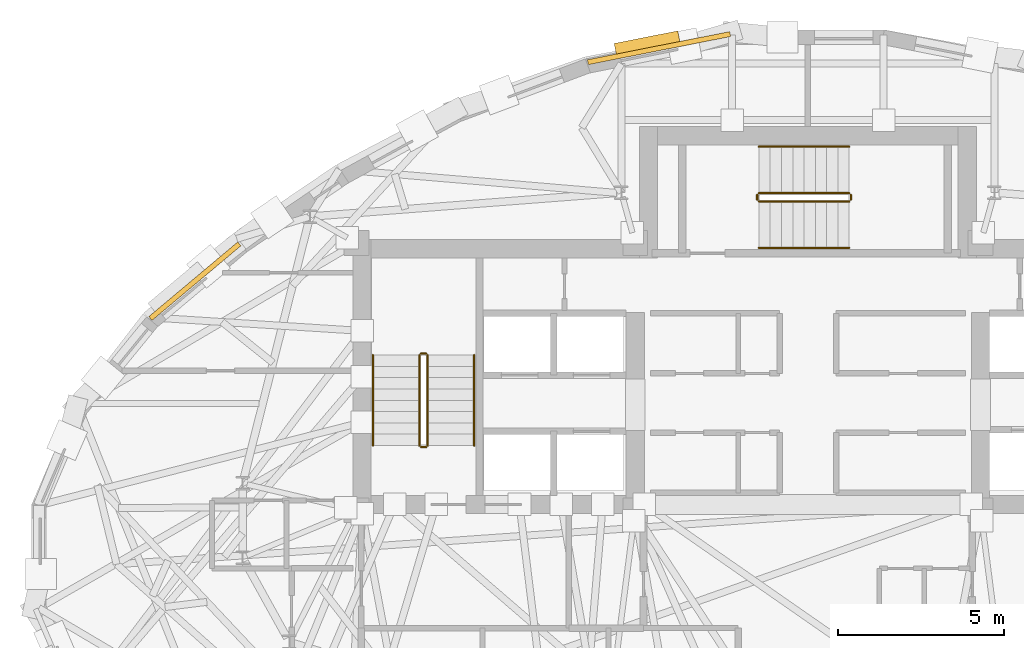
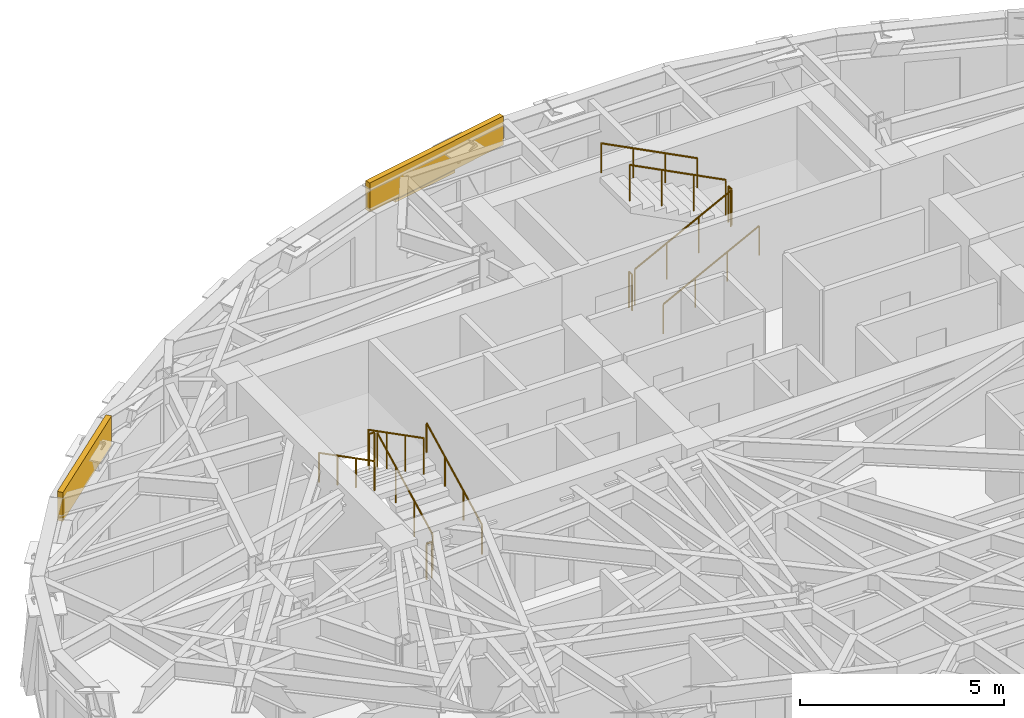
# One storey, part 13 of 14: 12 railings, 2 coverings, 1 shading device.
"""IFC4 building model written with IfcOpenShell, lengths in metres."""

from ifc_helpers import new_model, si_unit, direction, frame, origin, origin_2d, place, context, subcontext, project, spatial, rectangle, circle, extrude, material, layer, layer_set, type_object, element, save


model = new_model("IFC4")

# Units and contexts
model_context = context("Model", 3, precision=1e-05, world=origin(), true_north=direction((0.0, 1.0)))
body_context = subcontext(model_context, "Body", "Model", "MODEL_VIEW")
ifc_project = project(units=[si_unit("LENGTHUNIT", "METRE"), si_unit("AREAUNIT", "SQUARE_METRE"), si_unit("VOLUMEUNIT", "CUBIC_METRE"), si_unit("PLANEANGLEUNIT", "RADIAN"), si_unit("MASSUNIT", "GRAM", prefix="KILO")], contexts=[model_context])

# Site, building, storey
site_placement = place(None, origin())
site = spatial("IfcSite", under=ifc_project, at=site_placement, CompositionType="ELEMENT")
building_placement = place(site_placement, origin())
building = spatial("IfcBuilding", under=site, at=building_placement, Name="Keldmark Tower", CompositionType="ELEMENT")
storey_placement = place(building_placement, frame((0.0, 0.0, 216.300048828125)))
storey = spatial("IfcBuildingStorey", under=building, at=storey_placement, Name="L60", CompositionType="ELEMENT", Elevation=216.300048828125)

# Shading device
ifc_material_1 = material(Name="Kasota Buff Limestone Bullnose and Bronze Anodized Aluminum", Category="masonry")
ifc_layer_1 = layer(ifc_material_1, 0.080078125)
ifc_layer_set_1 = layer_set([ifc_layer_1], Name="Kasota Buff Limestone Bullnose and Bronze Anodized Aluminum")
shading_device_type = type_object("IfcShadingDeviceType", Name="Deep-Set Punched Window Stone-and-Metal Sunshade", PredefinedType="AWNING", material=ifc_layer_set_1)
shading_device_placement = place(storey_placement, frame((-4.836181640625, 15.440673828125, 2.10986328125), z_axis=(0.0, 0.0, 1.0), x_axis=(0.981026280067, 0.193874799339, 0.0)))
element("IfcShadingDevice", 1, at=shading_device_placement, inside=storey, type_object=shading_device_type, Name="L60 Kasota Stone Window Sunshade 09", PredefinedType="AWNING", context=body_context, shape_type="SweptSolid", body=[
    extrude(rectangle(XDim=1.949951171875, YDim=0.419921875, at=origin_2d()), origin(), (0.0, 0.0, 1.0), 0.080078125),
])

# Coverings
ifc_material_2 = material(Name="Honed Kasota Buff Dolomitic Limestone", Category="masonry")
ifc_layer_2 = layer(ifc_material_2, 0.074951171875)
ifc_layer_set_2 = layer_set([ifc_layer_2], Name="Honed Kasota Buff Dolomitic Limestone")
covering_type = type_object("IfcCoveringType", Name="Kasota Buff Limestone Spandrel Cladding Band", PredefinedType="CLADDING", material=ifc_layer_set_2)
covering_1_placement = place(storey_placement, frame((-4.482421875, 15.31689453125, 2.260009765625), z_axis=(0.0, 0.0, 1.0), x_axis=(-0.981026280067, -0.193874799339, 0.0)))
element("IfcCovering", 2, at=covering_1_placement, inside=storey, type_object=covering_type, Name="L60 Kasota Limestone Spandrel Band 09", PredefinedType="CLADDING", context=body_context, shape_type="SweptSolid", body=[
    extrude(rectangle(XDim=4.366455078125, YDim=0.14990234375, at=origin_2d()), origin(), (0.0, 0.0, 1.0), 0.8701171875),
])
covering_2_placement = place(storey_placement, frame((-18.461669921875, 8.298095703125, 2.260009765625), z_axis=(0.0, 0.0, 1.0), x_axis=(-0.766066880173, -0.642760869299, 0.0)))
element("IfcCovering", 3, at=covering_2_placement, inside=storey, type_object=covering_type, Name="L60 Kasota Limestone Spandrel Band 13", PredefinedType="CLADDING", context=body_context, shape_type="SweptSolid", body=[
    extrude(rectangle(XDim=3.49560546875, YDim=0.14990234375, at=origin_2d()), origin(), (0.0, 0.0, 1.0), 0.8701171875),
])

# Railings
ifc_material_3 = material(Name="Painted Steel ASTM A500 Grade B", Category="steel")
railing_type_1 = type_object("IfcRailingType", Name="Painted Steel Stair Well Guard 1100 mm", PredefinedType="GUARDRAIL", material=ifc_material_3)
railing_1_placement = place(storey_placement, frame((-11.449951171875, 3.35009765625, 0.175048828125)))
element("IfcRailing", 4, at=railing_1_placement, inside=storey, type_object=railing_type_1, Name="L60 ST1 stair guard 1", PredefinedType="GUARDRAIL", context=body_context, shape_type="SweptSolid", body=[
    extrude(circle(Radius=0.02392578125, at=origin_2d()), frame((0.0, 0.0, 1.076171875), z_axis=(0.0, 0.889146794209, 0.457622091194), x_axis=(-1.0, 0.0, 0.0)), (0.0, 0.0, 1.0), 3.05908203125),
    extrude(circle(Radius=0.02099609375, at=origin_2d()), origin(), (0.0, 0.0, 1.0), 1.052001953125),
    extrude(circle(Radius=0.02099609375, at=origin_2d()), frame((0.0, 0.90673828125, 0.466552734375)), (0.0, 0.0, 1.0), 1.052001953125),
    extrude(circle(Radius=0.02099609375, at=origin_2d()), frame((0.0, 1.813232421875, 0.933349609375)), (0.0, 0.0, 1.0), 1.052001953125),
    extrude(circle(Radius=0.02099609375, at=origin_2d()), frame((0.0, 2.719970703125, 1.39990234375)), (0.0, 0.0, 1.0), 1.052001953125),
])
railing_2_placement = place(storey_placement, frame((-11.5, 6.1201171875, 1.574951171875)))
element("IfcRailing", 5, at=railing_2_placement, inside=storey, type_object=railing_type_1, Name="L60 ST1 stair guard 2", PredefinedType="GUARDRAIL", context=body_context, shape_type="SweptSolid", body=[
    extrude(circle(Radius=0.02392578125, at=origin_2d()), frame((0.0, 0.0, 1.076171875), z_axis=(-1.0, 0.0, 0.0), x_axis=(0.0, -1.0, 0.0)), (0.0, 0.0, 1.0), 0.14990234375),
    extrude(circle(Radius=0.02099609375, at=origin_2d()), origin(), (0.0, 0.0, 1.0), 1.052001953125),
    extrude(circle(Radius=0.02099609375, at=origin_2d()), frame((-0.14990234375, 0.0, 0.0)), (0.0, 0.0, 1.0), 1.052001953125),
])
railing_3_placement = place(storey_placement, frame((-11.699951171875, 6.070068359375, 1.75)))
element("IfcRailing", 6, at=railing_3_placement, inside=storey, type_object=railing_type_1, Name="L60 ST1 stair guard 3", PredefinedType="GUARDRAIL", context=body_context, shape_type="SweptSolid", body=[
    extrude(circle(Radius=0.02392578125, at=origin_2d()), frame((0.0, 0.0, 1.076171875), z_axis=(0.0, -0.889146794209, 0.457622091194), x_axis=(1.0, 0.0, 0.0)), (0.0, 0.0, 1.0), 3.05908203125),
    extrude(circle(Radius=0.02099609375, at=origin_2d()), origin(), (0.0, 0.0, 1.0), 1.052001953125),
    extrude(circle(Radius=0.02099609375, at=origin_2d()), frame((0.0, -0.90673828125, 0.466552734375)), (0.0, 0.0, 1.0), 1.052001953125),
    extrude(circle(Radius=0.02099609375, at=origin_2d()), frame((0.0, -1.813232421875, 0.933349609375)), (0.0, 0.0, 1.0), 1.052001953125),
    extrude(circle(Radius=0.02099609375, at=origin_2d()), frame((0.0, -2.719970703125, 1.39990234375)), (0.0, 0.0, 1.0), 1.052001953125),
])
railing_4_placement = place(storey_placement, frame((-11.5, 3.300048828125, 0.0)))
element("IfcRailing", 7, at=railing_4_placement, inside=storey, type_object=railing_type_1, Name="L60 ST1 stair guard 4", PredefinedType="GUARDRAIL", context=body_context, shape_type="SweptSolid", body=[
    extrude(circle(Radius=0.02392578125, at=origin_2d()), frame((0.0, 0.0, 1.076171875), z_axis=(-1.0, 0.0, 0.0), x_axis=(0.0, -1.0, 0.0)), (0.0, 0.0, 1.0), 0.14990234375),
    extrude(circle(Radius=0.02099609375, at=origin_2d()), origin(), (0.0, 0.0, 1.0), 1.052001953125),
    extrude(circle(Radius=0.02099609375, at=origin_2d()), frame((-0.14990234375, 0.0, 0.0)), (0.0, 0.0, 1.0), 1.052001953125),
])
railing_5_placement = place(storey_placement, frame((-1.47509765625, 10.699951171875, 0.175048828125)))
element("IfcRailing", 8, at=railing_5_placement, inside=storey, type_object=railing_type_1, Name="L60 ST3 stair guard 1", PredefinedType="GUARDRAIL", context=body_context, shape_type="SweptSolid", body=[
    extrude(circle(Radius=0.02392578125, at=origin_2d()), frame((0.0, 0.0, 1.076171875), z_axis=(0.88916350577, 0.0, 0.457589619645), x_axis=(0.0, 1.0, 0.0)), (0.0, 0.0, 1.0), 3.059326171875),
    extrude(circle(Radius=0.02099609375, at=origin_2d()), origin(), (0.0, 0.0, 1.0), 1.052001953125),
    extrude(circle(Radius=0.02099609375, at=origin_2d()), frame((0.90673828125, 0.0, 0.466552734375)), (0.0, 0.0, 1.0), 1.052001953125),
    extrude(circle(Radius=0.02099609375, at=origin_2d()), frame((1.8134765625, 0.0, 0.933349609375)), (0.0, 0.0, 1.0), 1.052001953125),
    extrude(circle(Radius=0.02099609375, at=origin_2d()), frame((2.72021484375, 0.0, 1.39990234375)), (0.0, 0.0, 1.0), 1.052001953125),
])
railing_6_placement = place(storey_placement, frame((1.294921875, 10.75, 1.574951171875)))
element("IfcRailing", 9, at=railing_6_placement, inside=storey, type_object=railing_type_1, Name="L60 ST3 stair guard 2", PredefinedType="GUARDRAIL", context=body_context, shape_type="SweptSolid", body=[
    extrude(circle(Radius=0.02392578125, at=origin_2d()), frame((0.0, 0.0, 1.076171875), z_axis=(0.0, 1.0, 0.0), x_axis=(-1.0, 0.0, 0.0)), (0.0, 0.0, 1.0), 0.14990234375),
    extrude(circle(Radius=0.02099609375, at=origin_2d()), origin(), (0.0, 0.0, 1.0), 1.052001953125),
    extrude(circle(Radius=0.02099609375, at=origin_2d()), frame((0.0, 0.14990234375, 0.0)), (0.0, 0.0, 1.0), 1.052001953125),
])
railing_7_placement = place(storey_placement, frame((1.2451171875, 10.949951171875, 1.75)))
element("IfcRailing", 10, at=railing_7_placement, inside=storey, type_object=railing_type_1, Name="L60 ST3 stair guard 3", PredefinedType="GUARDRAIL", context=body_context, shape_type="SweptSolid", body=[
    extrude(circle(Radius=0.02392578125, at=origin_2d()), frame((0.0, 0.0, 1.076171875), z_axis=(-0.88916350577, 0.0, 0.457589619645), x_axis=(0.0, -1.0, 0.0)), (0.0, 0.0, 1.0), 3.059326171875),
    extrude(circle(Radius=0.02099609375, at=origin_2d()), origin(), (0.0, 0.0, 1.0), 1.052001953125),
    extrude(circle(Radius=0.02099609375, at=origin_2d()), frame((-0.90673828125, 0.0, 0.466552734375)), (0.0, 0.0, 1.0), 1.052001953125),
    extrude(circle(Radius=0.02099609375, at=origin_2d()), frame((-1.8134765625, 0.0, 0.933349609375)), (0.0, 0.0, 1.0), 1.052001953125),
    extrude(circle(Radius=0.02099609375, at=origin_2d()), frame((-2.72021484375, 0.0, 1.39990234375)), (0.0, 0.0, 1.0), 1.052001953125),
])
railing_8_placement = place(storey_placement, frame((-1.52490234375, 10.75, 0.0)))
element("IfcRailing", 11, at=railing_8_placement, inside=storey, type_object=railing_type_1, Name="L60 ST3 stair guard 4", PredefinedType="GUARDRAIL", context=body_context, shape_type="SweptSolid", body=[
    extrude(circle(Radius=0.02392578125, at=origin_2d()), frame((0.0, 0.0, 1.076171875), z_axis=(0.0, 1.0, 0.0), x_axis=(-1.0, 0.0, 0.0)), (0.0, 0.0, 1.0), 0.14990234375),
    extrude(circle(Radius=0.02099609375, at=origin_2d()), origin(), (0.0, 0.0, 1.0), 1.052001953125),
    extrude(circle(Radius=0.02099609375, at=origin_2d()), frame((0.0, 0.14990234375, 0.0)), (0.0, 0.0, 1.0), 1.052001953125),
])
ifc_material_4 = material(Name="Stainless Steel AISI 316L", Category="steel")
railing_type_2 = type_object("IfcRailingType", Name="Stainless Steel Stair Handrail 900 mm", PredefinedType="HANDRAIL", material=ifc_material_4)
railing_9_placement = place(storey_placement, frame((-10.050048828125, 3.35009765625, 0.175048828125)))
element("IfcRailing", 12, at=railing_9_placement, inside=storey, type_object=railing_type_2, Name="L60 ST1 stair handrail 1", PredefinedType="HANDRAIL", context=body_context, shape_type="SweptSolid", body=[
    extrude(circle(Radius=0.02392578125, at=origin_2d()), frame((0.0, 0.0, 0.8759765625), z_axis=(0.0, 0.889146794209, 0.457622091194), x_axis=(-1.0, 0.0, 0.0)), (0.0, 0.0, 1.0), 3.05908203125),
    extrude(circle(Radius=0.02099609375, at=origin_2d()), origin(), (0.0, 0.0, 1.0), 0.851806640625),
    extrude(circle(Radius=0.02099609375, at=origin_2d()), frame((0.0, 0.90673828125, 0.466552734375)), (0.0, 0.0, 1.0), 0.851806640625),
    extrude(circle(Radius=0.02099609375, at=origin_2d()), frame((0.0, 1.813232421875, 0.933349609375)), (0.0, 0.0, 1.0), 0.851806640625),
    extrude(circle(Radius=0.02099609375, at=origin_2d()), frame((0.0, 2.719970703125, 1.39990234375)), (0.0, 0.0, 1.0), 0.851806640625),
])
railing_10_placement = place(storey_placement, frame((-13.10009765625, 6.070068359375, 1.75)))
element("IfcRailing", 13, at=railing_10_placement, inside=storey, type_object=railing_type_2, Name="L60 ST1 stair handrail 2", PredefinedType="HANDRAIL", context=body_context, shape_type="SweptSolid", body=[
    extrude(circle(Radius=0.02392578125, at=origin_2d()), frame((0.0, 0.0, 0.8759765625), z_axis=(0.0, -0.889146794209, 0.457622091194), x_axis=(1.0, 0.0, 0.0)), (0.0, 0.0, 1.0), 3.05908203125),
    extrude(circle(Radius=0.02099609375, at=origin_2d()), origin(), (0.0, 0.0, 1.0), 0.851806640625),
    extrude(circle(Radius=0.02099609375, at=origin_2d()), frame((0.0, -0.90673828125, 0.466552734375)), (0.0, 0.0, 1.0), 0.851806640625),
    extrude(circle(Radius=0.02099609375, at=origin_2d()), frame((0.0, -1.813232421875, 0.933349609375)), (0.0, 0.0, 1.0), 0.851806640625),
    extrude(circle(Radius=0.02099609375, at=origin_2d()), frame((0.0, -2.719970703125, 1.39990234375)), (0.0, 0.0, 1.0), 0.851806640625),
])
railing_11_placement = place(storey_placement, frame((-1.47509765625, 9.300048828125, 0.175048828125)))
element("IfcRailing", 14, at=railing_11_placement, inside=storey, type_object=railing_type_2, Name="L60 ST3 stair handrail 1", PredefinedType="HANDRAIL", context=body_context, shape_type="SweptSolid", body=[
    extrude(circle(Radius=0.02392578125, at=origin_2d()), frame((0.0, 0.0, 0.8759765625), z_axis=(0.88916350577, 0.0, 0.457589619645), x_axis=(0.0, 1.0, 0.0)), (0.0, 0.0, 1.0), 3.059326171875),
    extrude(circle(Radius=0.02099609375, at=origin_2d()), origin(), (0.0, 0.0, 1.0), 0.851806640625),
    extrude(circle(Radius=0.02099609375, at=origin_2d()), frame((0.90673828125, 0.0, 0.466552734375)), (0.0, 0.0, 1.0), 0.851806640625),
    extrude(circle(Radius=0.02099609375, at=origin_2d()), frame((1.8134765625, 0.0, 0.933349609375)), (0.0, 0.0, 1.0), 0.851806640625),
    extrude(circle(Radius=0.02099609375, at=origin_2d()), frame((2.72021484375, 0.0, 1.39990234375)), (0.0, 0.0, 1.0), 0.851806640625),
])
railing_12_placement = place(storey_placement, frame((1.2451171875, 12.35009765625, 1.75)))
element("IfcRailing", 15, at=railing_12_placement, inside=storey, type_object=railing_type_2, Name="L60 ST3 stair handrail 2", PredefinedType="HANDRAIL", context=body_context, shape_type="SweptSolid", body=[
    extrude(circle(Radius=0.02392578125, at=origin_2d()), frame((0.0, 0.0, 0.8759765625), z_axis=(-0.88916350577, 0.0, 0.457589619645), x_axis=(0.0, -1.0, 0.0)), (0.0, 0.0, 1.0), 3.059326171875),
    extrude(circle(Radius=0.02099609375, at=origin_2d()), origin(), (0.0, 0.0, 1.0), 0.851806640625),
    extrude(circle(Radius=0.02099609375, at=origin_2d()), frame((-0.90673828125, 0.0, 0.466552734375)), (0.0, 0.0, 1.0), 0.851806640625),
    extrude(circle(Radius=0.02099609375, at=origin_2d()), frame((-1.8134765625, 0.0, 0.933349609375)), (0.0, 0.0, 1.0), 0.851806640625),
    extrude(circle(Radius=0.02099609375, at=origin_2d()), frame((-2.72021484375, 0.0, 1.39990234375)), (0.0, 0.0, 1.0), 0.851806640625),
])

save(model, "model.ifc")
